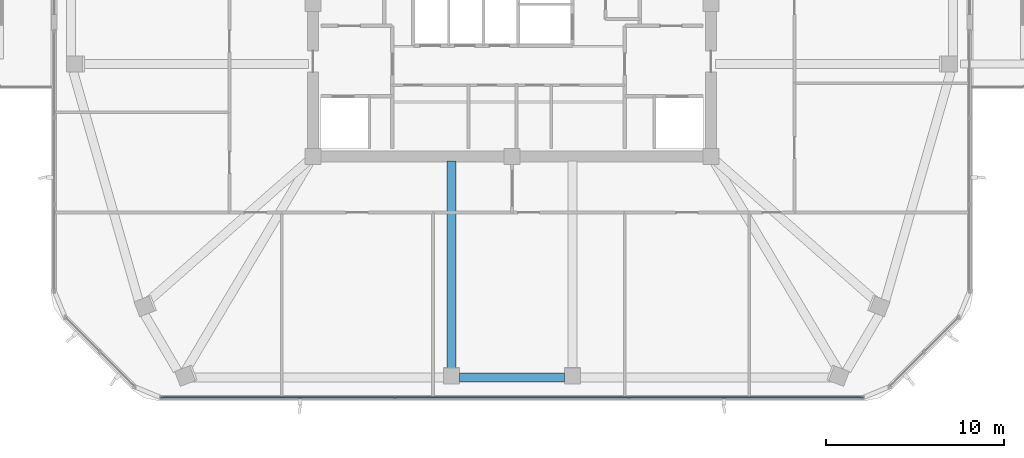
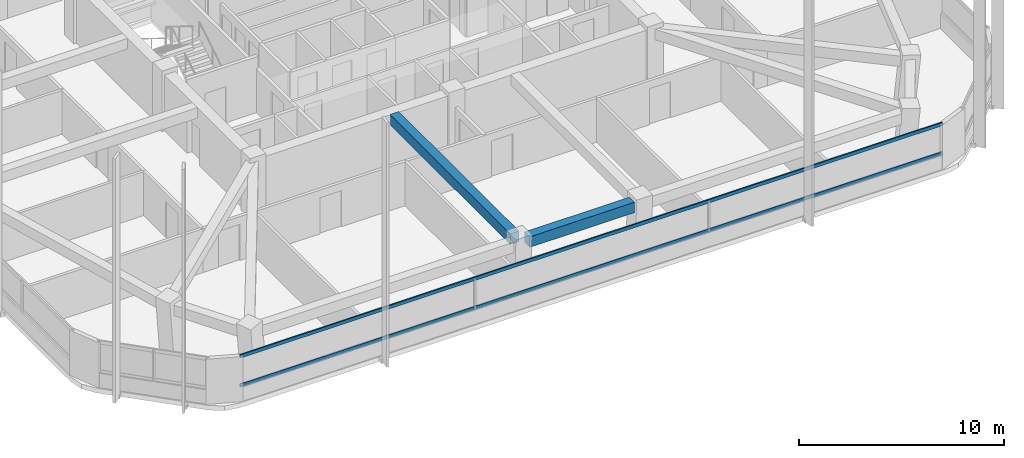
# One storey, part 3 of 17: 2 beams, 2 members, 1 element without a shape of its own.
"""IFC4 building model written with IfcOpenShell, lengths in metres."""

from ifc_helpers import new_model, si_unit, derived_unit, direction, frame, origin, origin_2d, place, context, subcontext, project, spatial, rectangle, extrude, material, material_profile, profile_set, type_object, element, aggregate, save


model = new_model("IFC4")

# Units and contexts
model_context = context("Model", 3, precision=1e-05, world=origin(), true_north=direction((0.0, 1.0)))
body_context = subcontext(model_context, "Body", "Model", "MODEL_VIEW")
ifc_project = project(units=[si_unit("LENGTHUNIT", "METRE"), si_unit("AREAUNIT", "SQUARE_METRE"), si_unit("VOLUMEUNIT", "CUBIC_METRE"), si_unit("PLANEANGLEUNIT", "RADIAN"), si_unit("MASSUNIT", "GRAM", prefix="KILO"), derived_unit("THERMALTRANSMITTANCEUNIT", [(si_unit("POWERUNIT", "WATT"), 1), (si_unit("LENGTHUNIT", "METRE"), -2), (si_unit("THERMODYNAMICTEMPERATUREUNIT", "KELVIN"), -1)])], contexts=[model_context])

# Site, building, storey
site_placement = place(None, origin())
site = spatial("IfcSite", under=ifc_project, at=site_placement, CompositionType="ELEMENT")
building_placement = place(site_placement, origin())
building = spatial("IfcBuilding", under=site, at=building_placement, Name="Koralith Skygarden Medical Center", CompositionType="ELEMENT")
storey_placement = place(building_placement, frame((0.0, 0.0, 207.179931640625)))
storey = spatial("IfcBuildingStorey", under=building, at=storey_placement, Name="L53", CompositionType="ELEMENT", Elevation=207.179931640625)

# Curtain wall, members
ifc_material_1 = material(Name="Clear Laminated Glass", Category="glass")
curtain_wall_type = type_object("IfcCurtainWallType", Name="CW-5 Zone 4 Flare Biophilic Curtain Wall", PredefinedType="NOTDEFINED", material=ifc_material_1)
curtain_wall_placement = place(storey_placement, origin())
curtain_wall = element("IfcCurtainWall", 1, at=curtain_wall_placement, inside=storey, type_object=curtain_wall_type, Name="Curtain Wall CW-L53-S", PredefinedType="NOTDEFINED")
ifc_material_2 = material(Name="Aluminium 6063-T6", Category="aluminium")
ifc_material_profile_1 = material_profile(ifc_material_2, rectangle(XDim=0.074951171875, YDim=0.197998046875, at=origin_2d()), Name="TRN75X198")
ifc_profile_set_1 = profile_set([ifc_material_profile_1], Name="Aluminium 6063-T6")
member_type = type_object("IfcMemberType", Name="CW-5 Thermal Transom 75x198", PredefinedType="USERDEFINED", material=ifc_profile_set_1)
member_1_placement = place(storey_placement, frame((17.222900390625, 3.742919921875, 0.900146484375), z_axis=(1.0, 0.0, 0.0), x_axis=(0.0, 1.0, 0.0)))
member_1 = element("IfcMember", 2, at=member_1_placement, type_object=member_type, Name="CW-L53-S Transom 1", ObjectType="TRANSOM", PredefinedType="USERDEFINED", context=body_context, shape_type="SweptSolid", body=[
    extrude(rectangle(XDim=0.074951171875, YDim=0.197998046875, at=origin_2d()), origin(), (0.0, 0.0, 1.0), 39.55419921875),
])
member_2_placement = place(storey_placement, frame((17.222900390625, 3.742919921875, 2.64013671875), z_axis=(1.0, 0.0, 0.0), x_axis=(0.0, 1.0, 0.0)))
member_2 = element("IfcMember", 3, at=member_2_placement, type_object=member_type, Name="CW-L53-S Transom 2", ObjectType="TRANSOM", PredefinedType="USERDEFINED", context=body_context, shape_type="SweptSolid", body=[
    extrude(rectangle(XDim=0.074951171875, YDim=0.197998046875, at=origin_2d()), origin(), (0.0, 0.0, 1.0), 39.55419921875),
])
aggregate(curtain_wall, [member_1, member_2])

# Beams
ifc_material_3 = material(Name="Concrete C45/55", Category="concrete")
ifc_material_profile_2 = material_profile(ifc_material_3, rectangle(XDim=0.5, YDim=0.6201171875, at=origin_2d()), Name="RCB500X620")
ifc_profile_set_2 = profile_set([ifc_material_profile_2], Name="Concrete C45/55")
beam_type_1 = type_object("IfcBeamType", Name="Upper Radial Collector Beam RCB500X620", PredefinedType="BEAM", material=ifc_profile_set_2)
beam_1_placement = place(storey_placement, frame((33.60009765625, 17.050048828125, 3.010009765625), z_axis=(0.0, -1.0, 0.0), x_axis=(1.0, 0.0, 0.0)))
element("IfcBeam", 4, at=beam_1_placement, inside=storey, type_object=beam_type_1, Name="L53 Radial Collector Beam RB-04", PredefinedType="BEAM", context=body_context, shape_type="SweptSolid", body=[
    extrude(rectangle(XDim=0.5, YDim=0.6201171875, at=origin_2d()), origin(), (0.0, 0.0, 1.0), 11.7431640625),
])
ifc_material_profile_3 = material_profile(ifc_material_3, rectangle(XDim=0.5, YDim=0.6201171875, at=origin_2d()), Name="RCB500X620")
ifc_profile_set_3 = profile_set([ifc_material_profile_3], Name="Concrete C45/55")
beam_type_2 = type_object("IfcBeamType", Name="Zone 4-5 Spandrel Beam RCB500X620", PredefinedType="SPANDREL", material=ifc_profile_set_3)
beam_2_placement = place(storey_placement, frame((34.0400390625, 4.866943359375, 3.010009765625), z_axis=(1.0, 0.0, 0.0), x_axis=(0.0, 1.0, 0.0)))
element("IfcBeam", 5, at=beam_2_placement, inside=storey, type_object=beam_type_2, Name="L53 Perimeter Spandrel Beam SP-04", PredefinedType="SPANDREL", context=body_context, shape_type="SweptSolid", body=[
    extrude(rectangle(XDim=0.5, YDim=0.6201171875, at=origin_2d()), origin(), (0.0, 0.0, 1.0), 5.919921875),
])

save(model, "model.ifc")
